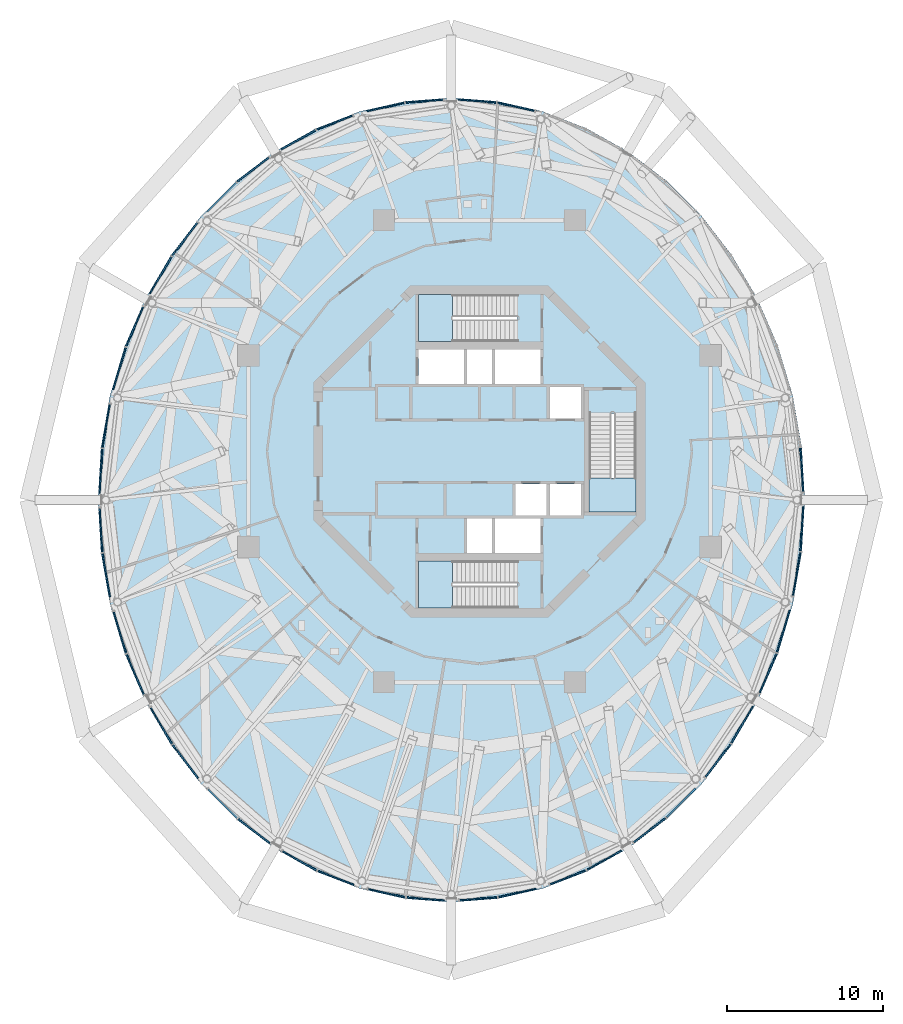
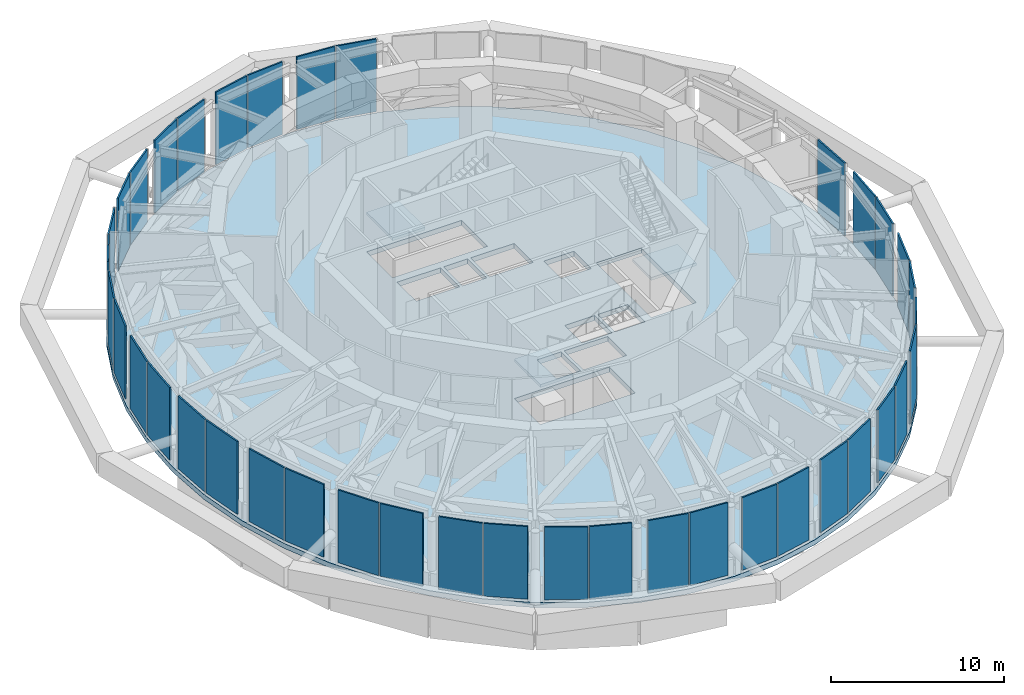
# One storey, part 12 of 22: 39 plates, 4 slabs, 42 elements without a shape of their own.
"""IFC4 building model written with IfcOpenShell, lengths in metres."""

from ifc_helpers import new_model, si_unit, direction, frame, origin, origin_2d, place, context, subcontext, project, spatial, polyline, rectangle, outline, extrude, material, layer, layer_set, type_object, element, aggregate, save


model = new_model("IFC4")

# Units and contexts
model_context = context("Model", 3, precision=1e-05, world=origin(), true_north=direction((0.0, 1.0)))
body_context = subcontext(model_context, "Body", "Model", "MODEL_VIEW")
ifc_project = project(units=[si_unit("LENGTHUNIT", "METRE"), si_unit("AREAUNIT", "SQUARE_METRE"), si_unit("VOLUMEUNIT", "CUBIC_METRE"), si_unit("PLANEANGLEUNIT", "RADIAN"), si_unit("MASSUNIT", "GRAM", prefix="KILO")], contexts=[model_context])

# Site, building, storey
site_placement = place(None, origin())
site = spatial("IfcSite", under=ifc_project, at=site_placement, CompositionType="ELEMENT")
building_placement = place(site_placement, origin())
building = spatial("IfcBuilding", under=site, at=building_placement, Name="Nagisa Residences", CompositionType="ELEMENT")
storey_placement = place(building_placement, frame((0.0, 0.0, 310.300048828125)))
storey = spatial("IfcBuildingStorey", under=building, at=storey_placement, Name="L77", CompositionType="ELEMENT", Elevation=310.300048828125)

# Curtain wall, plate
ifc_material_1 = material(Name="Aluminium curtain wall system", Category="aluminium")
ifc_layer_1 = layer(ifc_material_1, 0.159912109375)
ifc_layer_set_1 = layer_set([ifc_layer_1], Name="CW2 CURTAIN WALL")
curtain_wall_type = type_object("IfcCurtainWallType", Name="CW2 CURTAIN WALL", PredefinedType="NOTDEFINED", material=ifc_layer_set_1)
curtain_wall_1_placement = place(storey_placement, origin())
curtain_wall_1 = element("IfcCurtainWall", 1, at=curtain_wall_1_placement, inside=storey, type_object=curtain_wall_type, Name="cw:CW2:L77:00", PredefinedType="NOTDEFINED")
ifc_material_2 = material(Name="Insulated metal spandrel panel")
ifc_layer_2 = layer(ifc_material_2, 0.10009765625)
ifc_layer_set_2 = layer_set([ifc_layer_2], Name="CW2 SPANDREL PANEL")
plate_type = type_object("IfcPlateType", Name="CW2 SPANDREL PANEL", PredefinedType="SHEET", material=ifc_layer_set_2)
plate_1_placement = place(storey_placement, frame((20.628173828125, -1.177978515625, 0.179931640625), z_axis=(0.0, 0.0, 1.0), x_axis=(-0.057503492216, 0.998345305184, 0.0)))
plate_1 = element("IfcPlate", 2, at=plate_1_placement, type_object=plate_type, Name="CW2 spandrel panel", PredefinedType="SHEET", context=body_context, shape_type="SweptSolid", body=[
    extrude(rectangle(XDim=2.835205078125, YDim=0.10009765625, at=origin_2d()), origin(), (0.0, 0.0, 1.0), 5.1201171875),
])
aggregate(curtain_wall_1, [plate_1])

curtain_wall_2_placement = place(storey_placement, origin())
curtain_wall_2 = element("IfcCurtainWall", 3, at=curtain_wall_2_placement, inside=storey, type_object=curtain_wall_type, Name="cw:CW2:L77:10", PredefinedType="NOTDEFINED")
plate_2_placement = place(storey_placement, frame((2.327392578125, 22.05419921875, 0.179931640625), z_axis=(0.0, 0.0, 1.0), x_axis=(-0.975327274089, 0.2207639201, 0.0)))
plate_2 = element("IfcPlate", 4, at=plate_2_placement, type_object=plate_type, Name="CW2 spandrel panel", PredefinedType="SHEET", context=body_context, shape_type="SweptSolid", body=[
    extrude(rectangle(XDim=2.4453125, YDim=0.10009765625, at=origin_2d()), origin(), (0.0, 0.0, 1.0), 5.1201171875),
])
aggregate(curtain_wall_2, [plate_2])

curtain_wall_3_placement = place(storey_placement, origin())
curtain_wall_3 = element("IfcCurtainWall", 5, at=curtain_wall_3_placement, inside=storey, type_object=curtain_wall_type, Name="cw:CW2:L77:11", PredefinedType="NOTDEFINED")
plate_3_placement = place(storey_placement, frame((-0.145263671875, 22.418701171875, 0.179931640625), z_axis=(0.0, 0.0, 1.0), x_axis=(-0.997230168512, 0.074377355493, 0.0)))
plate_3 = element("IfcPlate", 6, at=plate_3_placement, type_object=plate_type, Name="CW2 spandrel panel", PredefinedType="SHEET", context=body_context, shape_type="SweptSolid", body=[
    extrude(rectangle(XDim=2.4306640625, YDim=0.10009765625, at=origin_2d()), origin(), (0.0, 0.0, 1.0), 5.1201171875),
])
aggregate(curtain_wall_3, [plate_3])

curtain_wall_4_placement = place(storey_placement, origin())
curtain_wall_4 = element("IfcCurtainWall", 7, at=curtain_wall_4_placement, inside=storey, type_object=curtain_wall_type, Name="cw:CW2:L77:12", PredefinedType="NOTDEFINED")
plate_4_placement = place(storey_placement, frame((-3.53466796875, 22.41259765625, 0.179931640625), z_axis=(0.0, 0.0, 1.0), x_axis=(-0.997230168512, -0.074377355493, 0.0)))
plate_4 = element("IfcPlate", 8, at=plate_4_placement, type_object=plate_type, Name="CW2 spandrel panel", PredefinedType="SHEET", context=body_context, shape_type="SweptSolid", body=[
    extrude(rectangle(XDim=2.4306640625, YDim=0.10009765625, at=origin_2d()), origin(), (0.0, 0.0, 1.0), 5.1201171875),
])
aggregate(curtain_wall_4, [plate_4])

curtain_wall_5_placement = place(storey_placement, origin())
curtain_wall_5 = element("IfcCurtainWall", 9, at=curtain_wall_5_placement, inside=storey, type_object=curtain_wall_type, Name="cw:CW2:L77:13", PredefinedType="NOTDEFINED")
plate_5_placement = place(storey_placement, frame((-6.00537109375, 22.036376953125, 0.179931640625), z_axis=(0.0, 0.0, 1.0), x_axis=(-0.975327274089, -0.2207639201, 0.0)))
plate_5 = element("IfcPlate", 10, at=plate_5_placement, type_object=plate_type, Name="CW2 spandrel panel", PredefinedType="SHEET", context=body_context, shape_type="SweptSolid", body=[
    extrude(rectangle(XDim=2.4453125, YDim=0.10009765625, at=origin_2d()), origin(), (0.0, 0.0, 1.0), 5.1201171875),
])
aggregate(curtain_wall_5, [plate_5])

curtain_wall_6_placement = place(storey_placement, origin())
curtain_wall_6 = element("IfcCurtainWall", 11, at=curtain_wall_6_placement, inside=storey, type_object=curtain_wall_type, Name="cw:CW2:L77:14", PredefinedType="NOTDEFINED")
plate_6_placement = place(storey_placement, frame((-9.273681640625, 21.033935546875, 0.179931640625), z_axis=(0.0, 0.0, 1.0), x_axis=(-0.932825759707, -0.360327770268, 0.0)))
plate_6 = element("IfcPlate", 12, at=plate_6_placement, type_object=plate_type, Name="CW2 spandrel panel", PredefinedType="SHEET", context=body_context, shape_type="SweptSolid", body=[
    extrude(rectangle(XDim=2.4736328125, YDim=0.10009765625, at=origin_2d()), origin(), (0.0, 0.0, 1.0), 5.1201171875),
])
aggregate(curtain_wall_6, [plate_6])

curtain_wall_7_placement = place(storey_placement, origin())
curtain_wall_7 = element("IfcCurtainWall", 13, at=curtain_wall_7_placement, inside=storey, type_object=curtain_wall_type, Name="cw:CW2:L77:15", PredefinedType="NOTDEFINED")
plate_7_placement = place(storey_placement, frame((-11.582763671875, 19.939208984375, 0.179931640625), z_axis=(0.0, 0.0, 1.0), x_axis=(-0.872072377523, -0.489376918501, 0.0)))
plate_7 = element("IfcPlate", 14, at=plate_7_placement, type_object=plate_type, Name="CW2 spandrel panel", PredefinedType="SHEET", context=body_context, shape_type="SweptSolid", body=[
    extrude(rectangle(XDim=2.512939453125, YDim=0.10009765625, at=origin_2d()), origin(), (0.0, 0.0, 1.0), 5.1201171875),
])
aggregate(curtain_wall_7, [plate_7])

curtain_wall_8_placement = place(storey_placement, origin())
curtain_wall_8 = element("IfcCurtainWall", 15, at=curtain_wall_8_placement, inside=storey, type_object=curtain_wall_type, Name="cw:CW2:L77:16", PredefinedType="NOTDEFINED")
plate_8_placement = place(storey_placement, frame((-14.502685546875, 18.014404296875, 0.179931640625), z_axis=(0.0, 0.0, 1.0), x_axis=(-0.79603132756, -0.605255421737, 0.0)))
plate_8 = element("IfcPlate", 16, at=plate_8_placement, type_object=plate_type, Name="CW2 spandrel panel", PredefinedType="SHEET", context=body_context, shape_type="SweptSolid", body=[
    extrude(rectangle(XDim=2.560546875, YDim=0.10009765625, at=origin_2d()), origin(), (0.0, 0.0, 1.0), 5.1201171875),
])
aggregate(curtain_wall_8, [plate_8])

curtain_wall_9_placement = place(storey_placement, origin())
curtain_wall_9 = element("IfcCurtainWall", 17, at=curtain_wall_9_placement, inside=storey, type_object=curtain_wall_type, Name="cw:CW2:L77:17", PredefinedType="NOTDEFINED")
plate_9_placement = place(storey_placement, frame((-16.4951171875, 16.267333984375, 0.179931640625), z_axis=(0.0, 0.0, 1.0), x_axis=(-0.707835924016, -0.706376885714, 0.0)))
plate_9 = element("IfcPlate", 18, at=plate_9_placement, type_object=plate_type, Name="CW2 spandrel panel", PredefinedType="SHEET", context=body_context, shape_type="SweptSolid", body=[
    extrude(rectangle(XDim=2.61279296875, YDim=0.10009765625, at=origin_2d()), origin(), (0.0, 0.0, 1.0), 5.1201171875),
])
aggregate(curtain_wall_9, [plate_9])

curtain_wall_10_placement = place(storey_placement, origin())
curtain_wall_10 = element("IfcCurtainWall", 19, at=curtain_wall_10_placement, inside=storey, type_object=curtain_wall_type, Name="cw:CW2:L77:18", PredefinedType="NOTDEFINED")
plate_10_placement = place(storey_placement, frame((-18.86865234375, 13.558837890625, 0.179931640625), z_axis=(0.0, 0.0, 1.0), x_axis=(-0.610429828235, -0.792070340816, 0.0)))
plate_10 = element("IfcPlate", 20, at=plate_10_placement, type_object=plate_type, Name="CW2 spandrel panel", PredefinedType="SHEET", context=body_context, shape_type="SweptSolid", body=[
    extrude(rectangle(XDim=2.666015625, YDim=0.10009765625, at=origin_2d()), origin(), (0.0, 0.0, 1.0), 5.1201171875),
])
aggregate(curtain_wall_10, [plate_10])

curtain_wall_11_placement = place(storey_placement, origin())
curtain_wall_11 = element("IfcCurtainWall", 21, at=curtain_wall_11_placement, inside=storey, type_object=curtain_wall_type, Name="cw:CW2:L77:19", PredefinedType="NOTDEFINED")
plate_11_placement = place(storey_placement, frame((-20.405029296875, 11.27099609375, 0.179931640625), z_axis=(0.0, 0.0, 1.0), x_axis=(-0.506348567002, -0.862328898214, 0.0)))
plate_11 = element("IfcPlate", 22, at=plate_11_placement, type_object=plate_type, Name="CW2 spandrel panel", PredefinedType="SHEET", context=body_context, shape_type="SweptSolid", body=[
    extrude(rectangle(XDim=2.716552734375, YDim=0.10009765625, at=origin_2d()), origin(), (0.0, 0.0, 1.0), 5.1201171875),
])
aggregate(curtain_wall_11, [plate_11])

curtain_wall_12_placement = place(storey_placement, origin())
curtain_wall_12 = element("IfcCurtainWall", 23, at=curtain_wall_12_placement, inside=storey, type_object=curtain_wall_type, Name="cw:CW2:L77:20", PredefinedType="NOTDEFINED")
plate_12_placement = place(storey_placement, frame((-22.07568359375, 7.967529296875, 0.179931640625), z_axis=(0.0, 0.0, 1.0), x_axis=(-0.397635934147, -0.917543276295, 0.0)))
plate_12 = element("IfcPlate", 24, at=plate_12_placement, type_object=plate_type, Name="CW2 spandrel panel", PredefinedType="SHEET", context=body_context, shape_type="SweptSolid", body=[
    extrude(rectangle(XDim=2.760986328125, YDim=0.10009765625, at=origin_2d()), origin(), (0.0, 0.0, 1.0), 5.1201171875),
])
aggregate(curtain_wall_12, [plate_12])

curtain_wall_13_placement = place(storey_placement, origin())
curtain_wall_13 = element("IfcCurtainWall", 25, at=curtain_wall_13_placement, inside=storey, type_object=curtain_wall_type, Name="cw:CW2:L77:21", PredefinedType="NOTDEFINED")
plate_13_placement = place(storey_placement, frame((-23.044189453125, 5.29296875, 0.179931640625), z_axis=(0.0, 0.0, 1.0), x_axis=(-0.285860274038, -0.958271310082, 0.0)))
plate_13 = element("IfcPlate", 26, at=plate_13_placement, type_object=plate_type, Name="CW2 spandrel panel", PredefinedType="SHEET", context=body_context, shape_type="SweptSolid", body=[
    extrude(rectangle(XDim=2.797119140625, YDim=0.10009765625, at=origin_2d()), origin(), (0.0, 0.0, 1.0), 5.1201171875),
])
aggregate(curtain_wall_13, [plate_13])

curtain_wall_14_placement = place(storey_placement, origin())
curtain_wall_14 = element("IfcCurtainWall", 27, at=curtain_wall_14_placement, inside=storey, type_object=curtain_wall_type, Name="cw:CW2:L77:22", PredefinedType="NOTDEFINED")
plate_14_placement = place(storey_placement, frame((-23.90478515625, 1.618408203125, 0.179931640625), z_axis=(0.0, 0.0, 1.0), x_axis=(-0.172190868898, -0.985063604377, 0.0)))
plate_14 = element("IfcPlate", 28, at=plate_14_placement, type_object=plate_type, Name="CW2 spandrel panel", PredefinedType="SHEET", context=body_context, shape_type="SweptSolid", body=[
    extrude(rectangle(XDim=2.822265625, YDim=0.10009765625, at=origin_2d()), origin(), (0.0, 0.0, 1.0), 5.1201171875),
])
aggregate(curtain_wall_14, [plate_14])

curtain_wall_15_placement = place(storey_placement, origin())
curtain_wall_15 = element("IfcCurtainWall", 29, at=curtain_wall_15_placement, inside=storey, type_object=curtain_wall_type, Name="cw:CW2:L77:23", PredefinedType="NOTDEFINED")
plate_15_placement = place(storey_placement, frame((-24.232666015625, -1.2578125, 0.179931640625), z_axis=(0.0, 0.0, 1.0), x_axis=(-0.057503492216, -0.998345305184, 0.0)))
plate_15 = element("IfcPlate", 30, at=plate_15_placement, type_object=plate_type, Name="CW2 spandrel panel", PredefinedType="SHEET", context=body_context, shape_type="SweptSolid", body=[
    extrude(rectangle(XDim=2.835205078125, YDim=0.10009765625, at=origin_2d()), origin(), (0.0, 0.0, 1.0), 5.1201171875),
])
aggregate(curtain_wall_15, [plate_15])

curtain_wall_16_placement = place(storey_placement, origin())
curtain_wall_16 = element("IfcCurtainWall", 31, at=curtain_wall_16_placement, inside=storey, type_object=curtain_wall_type, Name="cw:CW2:L77:24", PredefinedType="NOTDEFINED")
plate_16_placement = place(storey_placement, frame((-24.22802734375, -5.0576171875, 0.179931640625), z_axis=(0.0, 0.0, 1.0), x_axis=(0.057503492216, -0.998345305184, 0.0)))
plate_16 = element("IfcPlate", 32, at=plate_16_placement, type_object=plate_type, Name="CW2 spandrel panel", PredefinedType="SHEET", context=body_context, shape_type="SweptSolid", body=[
    extrude(rectangle(XDim=2.835205078125, YDim=0.10009765625, at=origin_2d()), origin(), (0.0, 0.0, 1.0), 5.1201171875),
])
aggregate(curtain_wall_16, [plate_16])

curtain_wall_17_placement = place(storey_placement, origin())
curtain_wall_17 = element("IfcCurtainWall", 33, at=curtain_wall_17_placement, inside=storey, type_object=curtain_wall_type, Name="cw:CW2:L77:25", PredefinedType="NOTDEFINED")
plate_17_placement = place(storey_placement, frame((-23.890869140625, -7.9326171875, 0.179931640625), z_axis=(0.0, 0.0, 1.0), x_axis=(0.172190868898, -0.985063604377, 0.0)))
plate_17 = element("IfcPlate", 34, at=plate_17_placement, type_object=plate_type, Name="CW2 spandrel panel", PredefinedType="SHEET", context=body_context, shape_type="SweptSolid", body=[
    extrude(rectangle(XDim=2.822265625, YDim=0.10009765625, at=origin_2d()), origin(), (0.0, 0.0, 1.0), 5.1201171875),
])
aggregate(curtain_wall_17, [plate_17])

curtain_wall_18_placement = place(storey_placement, origin())
curtain_wall_18 = element("IfcCurtainWall", 35, at=curtain_wall_18_placement, inside=storey, type_object=curtain_wall_type, Name="cw:CW2:L77:26", PredefinedType="NOTDEFINED")
plate_18_placement = place(storey_placement, frame((-23.021240234375, -11.60498046875, 0.179931640625), z_axis=(0.0, 0.0, 1.0), x_axis=(0.285860274038, -0.958271310082, 0.0)))
plate_18 = element("IfcPlate", 36, at=plate_18_placement, type_object=plate_type, Name="CW2 spandrel panel", PredefinedType="SHEET", context=body_context, shape_type="SweptSolid", body=[
    extrude(rectangle(XDim=2.797119140625, YDim=0.10009765625, at=origin_2d()), origin(), (0.0, 0.0, 1.0), 5.1201171875),
])
aggregate(curtain_wall_18, [plate_18])

curtain_wall_19_placement = place(storey_placement, origin())
curtain_wall_19 = element("IfcCurtainWall", 37, at=curtain_wall_19_placement, inside=storey, type_object=curtain_wall_type, Name="cw:CW2:L77:27", PredefinedType="NOTDEFINED")
plate_19_placement = place(storey_placement, frame((-22.0439453125, -14.2763671875, 0.179931640625), z_axis=(0.0, 0.0, 1.0), x_axis=(0.397635934147, -0.917543276295, 0.0)))
plate_19 = element("IfcPlate", 38, at=plate_19_placement, type_object=plate_type, Name="CW2 spandrel panel", PredefinedType="SHEET", context=body_context, shape_type="SweptSolid", body=[
    extrude(rectangle(XDim=2.760986328125, YDim=0.10009765625, at=origin_2d()), origin(), (0.0, 0.0, 1.0), 5.1201171875),
])
aggregate(curtain_wall_19, [plate_19])

curtain_wall_20_placement = place(storey_placement, origin())
curtain_wall_20 = element("IfcCurtainWall", 39, at=curtain_wall_20_placement, inside=storey, type_object=curtain_wall_type, Name="cw:CW2:L77:28", PredefinedType="NOTDEFINED")
plate_20_placement = place(storey_placement, frame((-20.364501953125, -17.575439453125, 0.179931640625), z_axis=(0.0, 0.0, 1.0), x_axis=(0.506348567002, -0.862328898214, 0.0)))
plate_20 = element("IfcPlate", 40, at=plate_20_placement, type_object=plate_type, Name="CW2 spandrel panel", PredefinedType="SHEET", context=body_context, shape_type="SweptSolid", body=[
    extrude(rectangle(XDim=2.716552734375, YDim=0.10009765625, at=origin_2d()), origin(), (0.0, 0.0, 1.0), 5.1201171875),
])
aggregate(curtain_wall_20, [plate_20])

curtain_wall_21_placement = place(storey_placement, origin())
curtain_wall_21 = element("IfcCurtainWall", 41, at=curtain_wall_21_placement, inside=storey, type_object=curtain_wall_type, Name="cw:CW2:L77:29", PredefinedType="NOTDEFINED")
plate_21_placement = place(storey_placement, frame((-18.81982421875, -19.857666015625, 0.179931640625), z_axis=(0.0, 0.0, 1.0), x_axis=(0.610429828235, -0.792070340816, 0.0)))
plate_21 = element("IfcPlate", 42, at=plate_21_placement, type_object=plate_type, Name="CW2 spandrel panel", PredefinedType="SHEET", context=body_context, shape_type="SweptSolid", body=[
    extrude(rectangle(XDim=2.666015625, YDim=0.10009765625, at=origin_2d()), origin(), (0.0, 0.0, 1.0), 5.1201171875),
])
aggregate(curtain_wall_21, [plate_21])

curtain_wall_22_placement = place(storey_placement, origin())
curtain_wall_22 = element("IfcCurtainWall", 43, at=curtain_wall_22_placement, inside=storey, type_object=curtain_wall_type, Name="cw:CW2:L77:30", PredefinedType="NOTDEFINED")
plate_22_placement = place(storey_placement, frame((-16.4384765625, -22.55908203125, 0.179931640625), z_axis=(0.0, 0.0, 1.0), x_axis=(0.707835924016, -0.706376885714, 0.0)))
plate_22 = element("IfcPlate", 44, at=plate_22_placement, type_object=plate_type, Name="CW2 spandrel panel", PredefinedType="SHEET", context=body_context, shape_type="SweptSolid", body=[
    extrude(rectangle(XDim=2.61279296875, YDim=0.10009765625, at=origin_2d()), origin(), (0.0, 0.0, 1.0), 5.1201171875),
])
aggregate(curtain_wall_22, [plate_22])

curtain_wall_23_placement = place(storey_placement, origin())
curtain_wall_23 = element("IfcCurtainWall", 45, at=curtain_wall_23_placement, inside=storey, type_object=curtain_wall_type, Name="cw:CW2:L77:31", PredefinedType="NOTDEFINED")
plate_23_placement = place(storey_placement, frame((-14.43896484375, -24.29833984375, 0.179931640625), z_axis=(0.0, 0.0, 1.0), x_axis=(0.79603132756, -0.605255421737, 0.0)))
plate_23 = element("IfcPlate", 46, at=plate_23_placement, type_object=plate_type, Name="CW2 spandrel panel", PredefinedType="SHEET", context=body_context, shape_type="SweptSolid", body=[
    extrude(rectangle(XDim=2.560546875, YDim=0.10009765625, at=origin_2d()), origin(), (0.0, 0.0, 1.0), 5.1201171875),
])
aggregate(curtain_wall_23, [plate_23])

curtain_wall_24_placement = place(storey_placement, origin())
curtain_wall_24 = element("IfcCurtainWall", 47, at=curtain_wall_24_placement, inside=storey, type_object=curtain_wall_type, Name="cw:CW2:L77:32", PredefinedType="NOTDEFINED")
plate_24_placement = place(storey_placement, frame((-11.512939453125, -26.213623046875, 0.179931640625), z_axis=(0.0, 0.0, 1.0), x_axis=(0.872072377523, -0.489376918501, 0.0)))
plate_24 = element("IfcPlate", 48, at=plate_24_placement, type_object=plate_type, Name="CW2 spandrel panel", PredefinedType="SHEET", context=body_context, shape_type="SweptSolid", body=[
    extrude(rectangle(XDim=2.512939453125, YDim=0.10009765625, at=origin_2d()), origin(), (0.0, 0.0, 1.0), 5.1201171875),
])
aggregate(curtain_wall_24, [plate_24])

curtain_wall_25_placement = place(storey_placement, origin())
curtain_wall_25 = element("IfcCurtainWall", 49, at=curtain_wall_25_placement, inside=storey, type_object=curtain_wall_type, Name="cw:CW2:L77:33", PredefinedType="NOTDEFINED")
plate_25_placement = place(storey_placement, frame((-9.19921875, -27.298095703125, 0.179931640625), z_axis=(0.0, 0.0, 1.0), x_axis=(0.932825759707, -0.360327770268, 0.0)))
plate_25 = element("IfcPlate", 50, at=plate_25_placement, type_object=plate_type, Name="CW2 spandrel panel", PredefinedType="SHEET", context=body_context, shape_type="SweptSolid", body=[
    extrude(rectangle(XDim=2.4736328125, YDim=0.10009765625, at=origin_2d()), origin(), (0.0, 0.0, 1.0), 5.1201171875),
])
aggregate(curtain_wall_25, [plate_25])

curtain_wall_26_placement = place(storey_placement, origin())
curtain_wall_26 = element("IfcCurtainWall", 51, at=curtain_wall_26_placement, inside=storey, type_object=curtain_wall_type, Name="cw:CW2:L77:34", PredefinedType="NOTDEFINED")
plate_26_placement = place(storey_placement, frame((-5.927490234375, -28.28955078125, 0.179931640625), z_axis=(0.0, 0.0, 1.0), x_axis=(0.975327274089, -0.2207639201, 0.0)))
plate_26 = element("IfcPlate", 52, at=plate_26_placement, type_object=plate_type, Name="CW2 spandrel panel", PredefinedType="SHEET", context=body_context, shape_type="SweptSolid", body=[
    extrude(rectangle(XDim=2.4453125, YDim=0.10009765625, at=origin_2d()), origin(), (0.0, 0.0, 1.0), 5.1201171875),
])
aggregate(curtain_wall_26, [plate_26])

curtain_wall_27_placement = place(storey_placement, origin())
curtain_wall_27 = element("IfcCurtainWall", 53, at=curtain_wall_27_placement, inside=storey, type_object=curtain_wall_type, Name="cw:CW2:L77:35", PredefinedType="NOTDEFINED")
plate_27_placement = place(storey_placement, frame((-3.454833984375, -28.654052734375, 0.179931640625), z_axis=(0.0, 0.0, 1.0), x_axis=(0.997230168512, -0.074377355493, 0.0)))
plate_27 = element("IfcPlate", 54, at=plate_27_placement, type_object=plate_type, Name="CW2 spandrel panel", PredefinedType="SHEET", context=body_context, shape_type="SweptSolid", body=[
    extrude(rectangle(XDim=2.4306640625, YDim=0.10009765625, at=origin_2d()), origin(), (0.0, 0.0, 1.0), 5.1201171875),
])
aggregate(curtain_wall_27, [plate_27])

curtain_wall_28_placement = place(storey_placement, origin())
curtain_wall_28 = element("IfcCurtainWall", 55, at=curtain_wall_28_placement, inside=storey, type_object=curtain_wall_type, Name="cw:CW2:L77:36", PredefinedType="NOTDEFINED")
plate_28_placement = place(storey_placement, frame((-0.0654296875, -28.648193359375, 0.179931640625), z_axis=(0.0, 0.0, 1.0), x_axis=(0.997230168512, 0.074377355493, 0.0)))
plate_28 = element("IfcPlate", 56, at=plate_28_placement, type_object=plate_type, Name="CW2 spandrel panel", PredefinedType="SHEET", context=body_context, shape_type="SweptSolid", body=[
    extrude(rectangle(XDim=2.4306640625, YDim=0.10009765625, at=origin_2d()), origin(), (0.0, 0.0, 1.0), 5.1201171875),
])
aggregate(curtain_wall_28, [plate_28])

curtain_wall_29_placement = place(storey_placement, origin())
curtain_wall_29 = element("IfcCurtainWall", 57, at=curtain_wall_29_placement, inside=storey, type_object=curtain_wall_type, Name="cw:CW2:L77:37", PredefinedType="NOTDEFINED")
plate_29_placement = place(storey_placement, frame((2.405517578125, -28.27197265625, 0.179931640625), z_axis=(0.0, 0.0, 1.0), x_axis=(0.975327274089, 0.2207639201, 0.0)))
plate_29 = element("IfcPlate", 58, at=plate_29_placement, type_object=plate_type, Name="CW2 spandrel panel", PredefinedType="SHEET", context=body_context, shape_type="SweptSolid", body=[
    extrude(rectangle(XDim=2.4453125, YDim=0.10009765625, at=origin_2d()), origin(), (0.0, 0.0, 1.0), 5.1201171875),
])
aggregate(curtain_wall_29, [plate_29])

curtain_wall_30_placement = place(storey_placement, origin())
curtain_wall_30 = element("IfcCurtainWall", 59, at=curtain_wall_30_placement, inside=storey, type_object=curtain_wall_type, Name="cw:CW2:L77:38", PredefinedType="NOTDEFINED")
plate_30_placement = place(storey_placement, frame((5.673828125, -27.269287109375, 0.179931640625), z_axis=(0.0, 0.0, 1.0), x_axis=(0.932825759707, 0.360327770268, 0.0)))
plate_30 = element("IfcPlate", 60, at=plate_30_placement, type_object=plate_type, Name="CW2 spandrel panel", PredefinedType="SHEET", context=body_context, shape_type="SweptSolid", body=[
    extrude(rectangle(XDim=2.4736328125, YDim=0.10009765625, at=origin_2d()), origin(), (0.0, 0.0, 1.0), 5.1201171875),
])
aggregate(curtain_wall_30, [plate_30])

curtain_wall_31_placement = place(storey_placement, origin())
curtain_wall_31 = element("IfcCurtainWall", 61, at=curtain_wall_31_placement, inside=storey, type_object=curtain_wall_type, Name="cw:CW2:L77:39", PredefinedType="NOTDEFINED")
plate_31_placement = place(storey_placement, frame((7.982666015625, -26.174560546875, 0.179931640625), z_axis=(0.0, 0.0, 1.0), x_axis=(0.872072377523, 0.489376918501, 0.0)))
plate_31 = element("IfcPlate", 62, at=plate_31_placement, type_object=plate_type, Name="CW2 spandrel panel", PredefinedType="SHEET", context=body_context, shape_type="SweptSolid", body=[
    extrude(rectangle(XDim=2.512939453125, YDim=0.10009765625, at=origin_2d()), origin(), (0.0, 0.0, 1.0), 5.1201171875),
])
aggregate(curtain_wall_31, [plate_31])

curtain_wall_32_placement = place(storey_placement, origin())
curtain_wall_32 = element("IfcCurtainWall", 63, at=curtain_wall_32_placement, inside=storey, type_object=curtain_wall_type, Name="cw:CW2:L77:40", PredefinedType="NOTDEFINED")
plate_32_placement = place(storey_placement, frame((10.902587890625, -24.249755859375, 0.179931640625), z_axis=(0.0, 0.0, 1.0), x_axis=(0.79603132756, 0.605255421737, 0.0)))
plate_32 = element("IfcPlate", 64, at=plate_32_placement, type_object=plate_type, Name="CW2 spandrel panel", PredefinedType="SHEET", context=body_context, shape_type="SweptSolid", body=[
    extrude(rectangle(XDim=2.560546875, YDim=0.10009765625, at=origin_2d()), origin(), (0.0, 0.0, 1.0), 5.1201171875),
])
aggregate(curtain_wall_32, [plate_32])

curtain_wall_33_placement = place(storey_placement, origin())
curtain_wall_33 = element("IfcCurtainWall", 65, at=curtain_wall_33_placement, inside=storey, type_object=curtain_wall_type, Name="cw:CW2:L77:41", PredefinedType="NOTDEFINED")
plate_33_placement = place(storey_placement, frame((12.89501953125, -22.502685546875, 0.179931640625), z_axis=(0.0, 0.0, 1.0), x_axis=(0.707835924016, 0.706376885714, 0.0)))
plate_33 = element("IfcPlate", 66, at=plate_33_placement, type_object=plate_type, Name="CW2 spandrel panel", PredefinedType="SHEET", context=body_context, shape_type="SweptSolid", body=[
    extrude(rectangle(XDim=2.61279296875, YDim=0.10009765625, at=origin_2d()), origin(), (0.0, 0.0, 1.0), 5.1201171875),
])
aggregate(curtain_wall_33, [plate_33])

curtain_wall_34_placement = place(storey_placement, origin())
curtain_wall_34 = element("IfcCurtainWall", 67, at=curtain_wall_34_placement, inside=storey, type_object=curtain_wall_type, Name="cw:CW2:L77:42", PredefinedType="NOTDEFINED")
plate_34_placement = place(storey_placement, frame((15.2685546875, -19.794189453125, 0.179931640625), z_axis=(0.0, 0.0, 1.0), x_axis=(0.610429828235, 0.792070340816, 0.0)))
plate_34 = element("IfcPlate", 68, at=plate_34_placement, type_object=plate_type, Name="CW2 spandrel panel", PredefinedType="SHEET", context=body_context, shape_type="SweptSolid", body=[
    extrude(rectangle(XDim=2.666015625, YDim=0.10009765625, at=origin_2d()), origin(), (0.0, 0.0, 1.0), 5.1201171875),
])
aggregate(curtain_wall_34, [plate_34])

curtain_wall_35_placement = place(storey_placement, origin())
curtain_wall_35 = element("IfcCurtainWall", 69, at=curtain_wall_35_placement, inside=storey, type_object=curtain_wall_type, Name="cw:CW2:L77:43", PredefinedType="NOTDEFINED")
plate_35_placement = place(storey_placement, frame((16.804931640625, -17.506591796875, 0.179931640625), z_axis=(0.0, 0.0, 1.0), x_axis=(0.506348567002, 0.862328898214, 0.0)))
plate_35 = element("IfcPlate", 70, at=plate_35_placement, type_object=plate_type, Name="CW2 spandrel panel", PredefinedType="SHEET", context=body_context, shape_type="SweptSolid", body=[
    extrude(rectangle(XDim=2.716552734375, YDim=0.10009765625, at=origin_2d()), origin(), (0.0, 0.0, 1.0), 5.1201171875),
])
aggregate(curtain_wall_35, [plate_35])

curtain_wall_36_placement = place(storey_placement, origin())
curtain_wall_36 = element("IfcCurtainWall", 71, at=curtain_wall_36_placement, inside=storey, type_object=curtain_wall_type, Name="cw:CW2:L77:44", PredefinedType="NOTDEFINED")
plate_36_placement = place(storey_placement, frame((18.475830078125, -14.202880859375, 0.179931640625), z_axis=(0.0, 0.0, 1.0), x_axis=(0.397635934147, 0.917543276295, 0.0)))
plate_36 = element("IfcPlate", 72, at=plate_36_placement, type_object=plate_type, Name="CW2 spandrel panel", PredefinedType="SHEET", context=body_context, shape_type="SweptSolid", body=[
    extrude(rectangle(XDim=2.760986328125, YDim=0.10009765625, at=origin_2d()), origin(), (0.0, 0.0, 1.0), 5.1201171875),
])
aggregate(curtain_wall_36, [plate_36])

curtain_wall_37_placement = place(storey_placement, origin())
curtain_wall_37 = element("IfcCurtainWall", 73, at=curtain_wall_37_placement, inside=storey, type_object=curtain_wall_type, Name="cw:CW2:L77:45", PredefinedType="NOTDEFINED")
plate_37_placement = place(storey_placement, frame((19.444091796875, -11.5283203125, 0.179931640625), z_axis=(0.0, 0.0, 1.0), x_axis=(0.285860274038, 0.958271310082, 0.0)))
plate_37 = element("IfcPlate", 74, at=plate_37_placement, type_object=plate_type, Name="CW2 spandrel panel", PredefinedType="SHEET", context=body_context, shape_type="SweptSolid", body=[
    extrude(rectangle(XDim=2.797119140625, YDim=0.10009765625, at=origin_2d()), origin(), (0.0, 0.0, 1.0), 5.1201171875),
])
aggregate(curtain_wall_37, [plate_37])

curtain_wall_38_placement = place(storey_placement, origin())
curtain_wall_38 = element("IfcCurtainWall", 75, at=curtain_wall_38_placement, inside=storey, type_object=curtain_wall_type, Name="cw:CW2:L77:46", PredefinedType="NOTDEFINED")
plate_38_placement = place(storey_placement, frame((20.3046875, -7.853759765625, 0.179931640625), z_axis=(0.0, 0.0, 1.0), x_axis=(0.172190868898, 0.985063604377, 0.0)))
plate_38 = element("IfcPlate", 76, at=plate_38_placement, type_object=plate_type, Name="CW2 spandrel panel", PredefinedType="SHEET", context=body_context, shape_type="SweptSolid", body=[
    extrude(rectangle(XDim=2.822265625, YDim=0.10009765625, at=origin_2d()), origin(), (0.0, 0.0, 1.0), 5.1201171875),
])
aggregate(curtain_wall_38, [plate_38])

curtain_wall_39_placement = place(storey_placement, origin())
curtain_wall_39 = element("IfcCurtainWall", 77, at=curtain_wall_39_placement, inside=storey, type_object=curtain_wall_type, Name="cw:CW2:L77:47", PredefinedType="NOTDEFINED")
plate_39_placement = place(storey_placement, frame((20.6328125, -4.9775390625, 0.179931640625), z_axis=(0.0, 0.0, 1.0), x_axis=(0.057503492216, 0.998345305184, 0.0)))
plate_39 = element("IfcPlate", 78, at=plate_39_placement, type_object=plate_type, Name="CW2 spandrel panel", PredefinedType="SHEET", context=body_context, shape_type="SweptSolid", body=[
    extrude(rectangle(XDim=2.835205078125, YDim=0.10009765625, at=origin_2d()), origin(), (0.0, 0.0, 1.0), 5.1201171875),
])
aggregate(curtain_wall_39, [plate_39])

# Slab
ifc_material_3 = material(Name="Concrete C40", Category="concrete")
ifc_layer_3 = layer(ifc_material_3, 0.35009765625)
ifc_layer_set_3 = layer_set([ifc_layer_3], Name="Floor slab 350")
slab_type_1 = type_object("IfcSlabType", Name="Floor slab 350", PredefinedType="FLOOR", material=ifc_layer_set_3)
slab_1_placement = place(storey_placement, frame((0.0, 0.0, -0.35009765625)))
element("IfcSlab", 79, at=slab_1_placement, inside=storey, type_object=slab_type_1, Name="slab:L77:floor", PredefinedType="FLOOR", context=body_context, shape_type="SweptSolid", body=[
    extrude(outline(polyline([(20.820068359375, -3.11767578125), (20.62646484375, 0.241943359375), (20.04931640625, 3.544189453125), (19.09814453125, 6.732666015625), (17.78955078125, 9.752197265625), (16.145751953125, 12.5517578125), (14.19482421875, 15.083251953125), (11.97021484375, 17.30322265625), (9.510009765625, 19.173828125), (6.856201171875, 20.6630859375), (4.054443359375, 21.745361328125), (1.152587890625, 22.402099609375), (-1.800048828125, 22.622314453125), (-4.75244140625, 22.402099609375), (-7.654541015625, 21.745361328125), (-10.456298828125, 20.6630859375), (-13.110107421875, 19.173828125), (-15.570068359375, 17.30322265625), (-17.794677734375, 15.083251953125), (-19.74560546875, 12.5517578125), (-21.389404296875, 9.752197265625), (-22.6982421875, 6.732666015625), (-23.649169921875, 3.544189453125), (-24.2265625, 0.241943359375), (-24.419921875, -3.11767578125), (-24.2265625, -6.4775390625), (-23.649169921875, -9.77978515625), (-22.6982421875, -12.968017578125), (-21.389404296875, -15.98779296875), (-19.74560546875, -18.787109375), (-17.794677734375, -21.318603515625), (-15.570068359375, -23.53857421875), (-13.110107421875, -25.4091796875), (-10.456298828125, -26.8984375), (-7.654541015625, -27.980712890625), (-4.75244140625, -28.637451171875), (-1.800048828125, -28.857666015625), (1.152587890625, -28.637451171875), (4.054443359375, -27.980712890625), (6.856201171875, -26.8984375), (9.510009765625, -25.4091796875), (11.97021484375, -23.53857421875), (14.19482421875, -21.318603515625), (16.145751953125, -18.787109375), (17.78955078125, -15.98779296875), (19.09814453125, -12.968017578125), (20.04931640625, -9.77978515625), (20.62646484375, -6.4775390625), (20.820068359375, -3.11767578125)]), holes=[polyline([(6.5, 2.10009765625), (6.5, 4.10009765625), (4.5, 4.10009765625), (4.5, 2.10009765625), (6.5, 2.10009765625)]), polyline([(4.300048828125, -4.10009765625), (4.300048828125, -2.10009765625), (2.300048828125, -2.10009765625), (2.300048828125, -4.10009765625), (4.300048828125, -4.10009765625)]), polyline([(6.5, -4.10009765625), (6.5, -2.10009765625), (4.5, -2.10009765625), (4.5, -4.10009765625), (6.5, -4.10009765625)]), polyline([(3.89990234375, 4.300048828125), (3.89990234375, 6.5), (1.0, 6.5), (1.0, 4.300048828125), (3.89990234375, 4.300048828125)]), polyline([(3.89990234375, -6.5), (3.89990234375, -4.300048828125), (1.0, -4.300048828125), (1.0, -6.5), (3.89990234375, -6.5)]), polyline([(-1.0, 4.300048828125), (-1.0, 6.5), (-3.89990234375, 6.5), (-3.89990234375, 4.300048828125), (-1.0, 4.300048828125)]), polyline([(0.800048828125, 4.300048828125), (0.800048828125, 6.5), (-0.800048828125, 6.5), (-0.800048828125, 4.300048828125), (0.800048828125, 4.300048828125)]), polyline([(0.800048828125, -6.5), (0.800048828125, -4.300048828125), (-0.800048828125, -4.300048828125), (-0.800048828125, -6.5), (0.800048828125, -6.5)]), polyline([(10.024658203125, -3.89990234375), (7.024658203125, -3.89990234375), (7.024658203125, 2.425048828125), (10.024658203125, 2.425048828125), (10.024658203125, -3.89990234375)]), polyline([(-3.89990234375, 7.024658203125), (-3.89990234375, 10.024658203125), (2.425048828125, 10.024658203125), (2.425048828125, 7.024658203125), (-3.89990234375, 7.024658203125)]), polyline([(-3.89990234375, -10.024658203125), (-3.89990234375, -7.024658203125), (2.425048828125, -7.024658203125), (2.425048828125, -10.024658203125), (-3.89990234375, -10.024658203125)])]), origin(), (0.0, 0.0, 1.0), 0.35009765625),
])

# Stair, slab
ifc_material_4 = material(Name="Concrete C60", Category="concrete")
stair_type = type_object("IfcStairType", Name="Exit stair", PredefinedType="HALF_TURN_STAIR", material=ifc_material_4)
stair_1_placement = place(storey_placement, origin())
stair_1 = element("IfcStair", 80, at=stair_1_placement, inside=storey, type_object=stair_type, Name="L77 Exit stair E", PredefinedType="HALF_TURN_STAIR")
ifc_material_5 = material(Name="Concrete C60", Category="concrete")
ifc_layer_4 = layer(ifc_material_5, 0.199951171875)
ifc_layer_set_4 = layer_set([ifc_layer_4], Name="Stair landing")
slab_type_2 = type_object("IfcSlabType", Name="Stair landing", PredefinedType="LANDING", material=ifc_layer_set_4)
slab_2_placement = place(storey_placement, frame((0.0, 0.0, 2.599853515625)))
slab_2 = element("IfcSlab", 81, at=slab_2_placement, type_object=slab_type_2, Name="ST-E landing 1", PredefinedType="LANDING", context=body_context, shape_type="SweptSolid", body=[
    extrude(outline(polyline([(7.024658203125, -1.72509765625), (7.024658203125, -3.89990234375), (10.024658203125, -3.89990234375), (10.024658203125, -1.72509765625), (7.024658203125, -1.72509765625)])), origin(), (0.0, 0.0, 1.0), 0.2001953125),
])
aggregate(stair_1, [slab_2])

stair_2_placement = place(storey_placement, origin())
stair_2 = element("IfcStair", 82, at=stair_2_placement, inside=storey, type_object=stair_type, Name="L77 Exit stair N", PredefinedType="HALF_TURN_STAIR")
slab_3_placement = place(storey_placement, frame((0.0, 0.0, 2.599853515625)))
slab_3 = element("IfcSlab", 83, at=slab_3_placement, type_object=slab_type_2, Name="ST-N landing 1", PredefinedType="LANDING", context=body_context, shape_type="SweptSolid", body=[
    extrude(outline(polyline([(-1.72509765625, 10.024658203125), (-3.89990234375, 10.024658203125), (-3.89990234375, 7.024658203125), (-1.72509765625, 7.024658203125), (-1.72509765625, 10.024658203125)])), origin(), (0.0, 0.0, 1.0), 0.2001953125),
])
aggregate(stair_2, [slab_3])

stair_3_placement = place(storey_placement, origin())
stair_3 = element("IfcStair", 84, at=stair_3_placement, inside=storey, type_object=stair_type, Name="L77 Exit stair S", PredefinedType="HALF_TURN_STAIR")
slab_4_placement = place(storey_placement, frame((0.0, 0.0, 2.599853515625)))
slab_4 = element("IfcSlab", 85, at=slab_4_placement, type_object=slab_type_2, Name="ST-S landing 1", PredefinedType="LANDING", context=body_context, shape_type="SweptSolid", body=[
    extrude(outline(polyline([(-1.72509765625, -7.024658203125), (-3.89990234375, -7.024658203125), (-3.89990234375, -10.024658203125), (-1.72509765625, -10.024658203125), (-1.72509765625, -7.024658203125)])), origin(), (0.0, 0.0, 1.0), 0.2001953125),
])
aggregate(stair_3, [slab_4])

save(model, "model.ifc")
